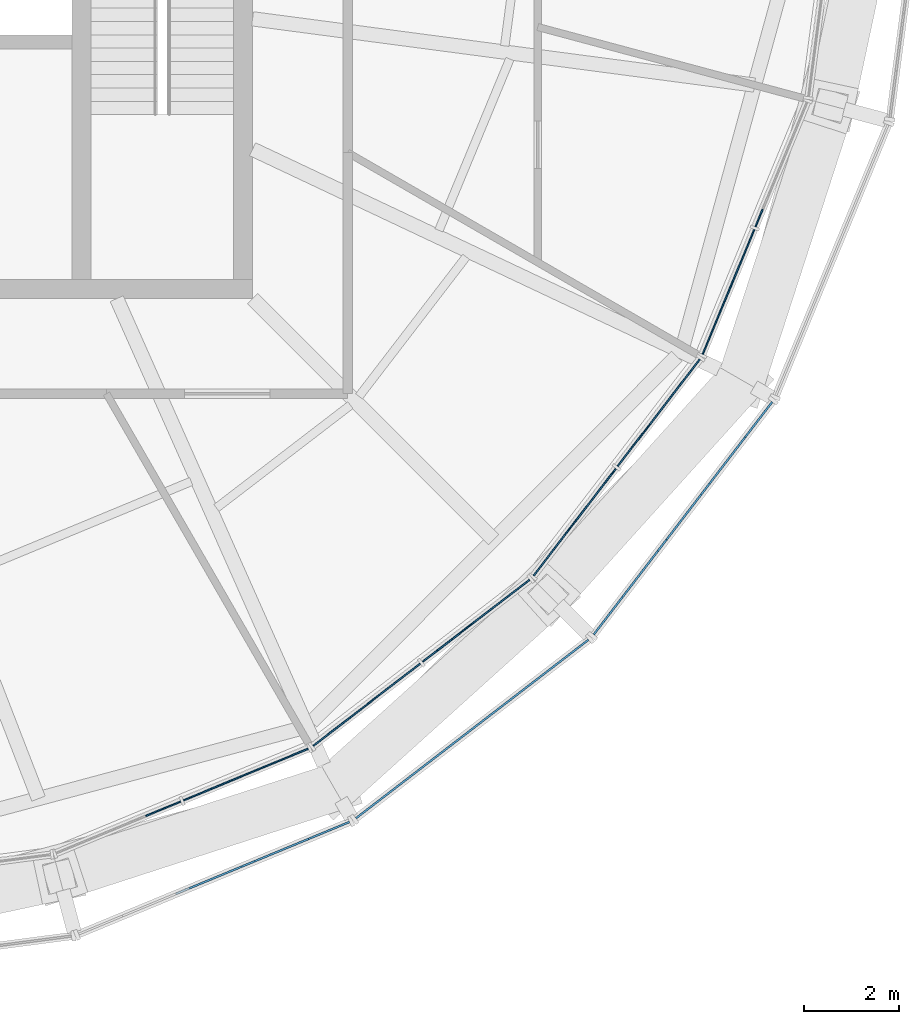
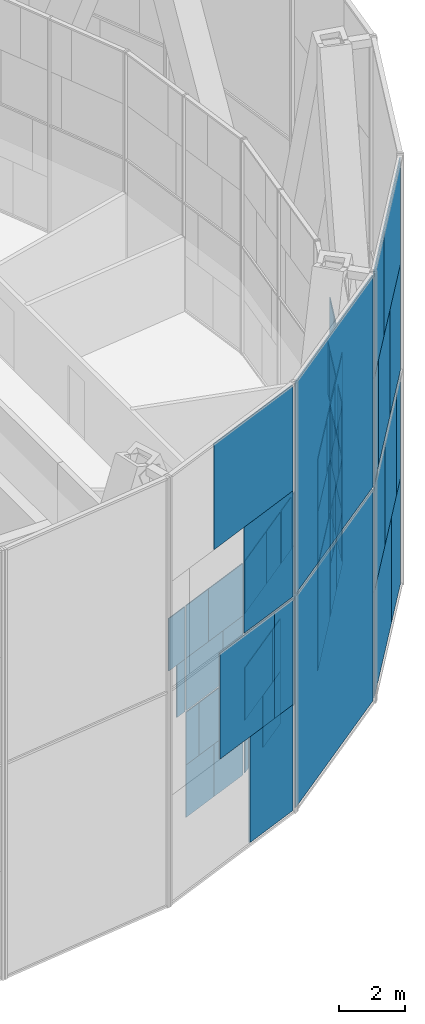
# One storey, part 13 of 22: 62 plates, 7 elements without a shape of their own.
"""IFC4 building model written with IfcOpenShell, lengths in metres."""

from ifc_helpers import new_model, si_unit, direction, frame, origin, origin_2d, place, context, subcontext, project, spatial, rectangle, extrude, material, layer, layer_set, type_object, element, aggregate, save


model = new_model("IFC4")

# Units and contexts
model_context = context("Model", 3, precision=1e-05, world=origin(), true_north=direction((0.0, 1.0)))
body_context = subcontext(model_context, "Body", "Model", "MODEL_VIEW")
ifc_project = project(units=[si_unit("LENGTHUNIT", "METRE"), si_unit("AREAUNIT", "SQUARE_METRE"), si_unit("VOLUMEUNIT", "CUBIC_METRE"), si_unit("PLANEANGLEUNIT", "RADIAN"), si_unit("MASSUNIT", "GRAM", prefix="KILO")], contexts=[model_context])

# Site, building, storey
site_placement = place(None, origin())
site = spatial("IfcSite", under=ifc_project, at=site_placement, CompositionType="ELEMENT")
building_placement = place(site_placement, origin())
building = spatial("IfcBuilding", under=site, at=building_placement, Name="Golbaran Civic Tower", CompositionType="ELEMENT")
storey_placement = place(building_placement, frame((0.0, 0.0, 248.0)))
storey = spatial("IfcBuildingStorey", under=building, at=storey_placement, Name="L60", CompositionType="ELEMENT", Elevation=248.0)

# Curtain wall, plates
ifc_material_1 = material(Name="Aluminium and glass", Category="aluminium")
curtain_wall_type_1 = type_object("IfcCurtainWallType", Name="INNER SKIN CURTAIN WALL EXECUTIVE", PredefinedType="NOTDEFINED", material=ifc_material_1)
curtain_wall_1_placement = place(storey_placement, origin())
curtain_wall_1 = element("IfcCurtainWall", 1, at=curtain_wall_1_placement, inside=storey, type_object=curtain_wall_type_1, Name="Inner skin L60 facet 20 CW2", ObjectType="INNER SKIN", PredefinedType="USERDEFINED")
ifc_material_2 = material(Name="Clear insulating glass", Category="glass")
ifc_layer_1 = layer(ifc_material_2, 0.031982421875, Name="Clear insulating glass")
ifc_layer_set_1 = layer_set([ifc_layer_1], Name="Clear insulating glass")
plate_type_1 = type_object("IfcPlateType", Name="INNER SKIN CURTAIN WALL EXECUTIVE GLAZED PANEL", PredefinedType="CURTAIN_PANEL", material=ifc_layer_set_1)
plate_1_placement = place(storey_placement, frame((9.18505859375, -20.289306640625, 0.06005859375), z_axis=(0.0, 0.0, 1.0), x_axis=(0.923879532505, 0.382683432381, 0.0)))
plate_1 = element("IfcPlate", 2, at=plate_1_placement, type_object=plate_type_1, Name="CW2 panel 2.1 part 1", PredefinedType="CURTAIN_PANEL", context=body_context, shape_type="SweptSolid", body=[
    extrude(rectangle(XDim=1.383056640625, YDim=0.031982421875, at=origin_2d()), origin(), (0.0, 0.0, 1.0), 1.955078125),
])
plate_2_placement = place(storey_placement, frame((8.84375, -20.4306640625, 2.014892578125), z_axis=(0.0, 0.0, 1.0), x_axis=(0.923879532505, 0.382683432381, 0.0)))
plate_2 = element("IfcPlate", 3, at=plate_2_placement, type_object=plate_type_1, Name="CW2 panel 2.1 part 3", PredefinedType="CURTAIN_PANEL", context=body_context, shape_type="SweptSolid", body=[
    extrude(rectangle(XDim=0.64404296875, YDim=0.031982421875, at=origin_2d()), origin(), (0.0, 0.0, 1.0), 1.955078125),
])
plate_3_placement = place(storey_placement, frame((10.712158203125, -19.656982421875, 4.030029296875), z_axis=(0.0, 0.0, 1.0), x_axis=(0.923879532505, 0.382683432381, 0.0)))
plate_3 = element("IfcPlate", 4, at=plate_3_placement, type_object=plate_type_1, Name="CW2 panel 2.2 part 2", PredefinedType="CURTAIN_PANEL", context=body_context, shape_type="SweptSolid", body=[
    extrude(rectangle(XDim=0.99267578125, YDim=0.031982421875, at=origin_2d()), origin(), (0.0, 0.0, 1.0), 1.955078125),
])
plate_4_placement = place(storey_placement, frame((10.3701171875, -19.798583984375, 5.98486328125), z_axis=(0.0, 0.0, 1.0), x_axis=(0.923879532505, 0.382683432381, 0.0)))
plate_4 = element("IfcPlate", 5, at=plate_4_placement, type_object=plate_type_1, Name="CW2 panel 2.2 part 4", PredefinedType="CURTAIN_PANEL", context=body_context, shape_type="SweptSolid", body=[
    extrude(rectangle(XDim=1.732666015625, YDim=0.031982421875, at=origin_2d()), origin(), (0.0, 0.0, 1.0), 1.955078125),
])

curtain_wall_2_placement = place(storey_placement, origin())
curtain_wall_2 = element("IfcCurtainWall", 6, at=curtain_wall_2_placement, inside=storey, type_object=curtain_wall_type_1, Name="Inner skin L60 facet 21 CW2", ObjectType="INNER SKIN", PredefinedType="USERDEFINED")
plate_5_placement = place(storey_placement, frame((12.978271484375, -18.099365234375, 0.06005859375), z_axis=(0.0, 0.0, 1.0), x_axis=(0.793353340238, 0.608761429078, 0.0)))
plate_5 = element("IfcPlate", 7, at=plate_5_placement, type_object=plate_type_1, Name="CW2 panel 1.1 part 2", PredefinedType="CURTAIN_PANEL", context=body_context, shape_type="SweptSolid", body=[
    extrude(rectangle(XDim=1.383544921875, YDim=0.031982421875, at=origin_2d()), origin(), (0.0, 0.0, 1.0), 1.955078125),
])
plate_6_placement = place(storey_placement, frame((13.271484375, -17.87451171875, 2.014892578125), z_axis=(0.0, 0.0, 1.0), x_axis=(0.793353340238, 0.608761429078, 0.0)))
plate_6 = element("IfcPlate", 8, at=plate_6_placement, type_object=plate_type_1, Name="CW2 panel 1.1 part 4", PredefinedType="CURTAIN_PANEL", context=body_context, shape_type="SweptSolid", body=[
    extrude(rectangle(XDim=0.64453125, YDim=0.031982421875, at=origin_2d()), origin(), (0.0, 0.0, 1.0), 1.955078125),
])
plate_7_placement = place(storey_placement, frame((11.66748046875, -19.105224609375, 4.030029296875), z_axis=(0.0, 0.0, 1.0), x_axis=(0.793353340238, 0.608761429078, 0.0)))
plate_7 = element("IfcPlate", 9, at=plate_7_placement, type_object=plate_type_1, Name="CW2 panel 1.2 part 1", PredefinedType="CURTAIN_PANEL", context=body_context, shape_type="SweptSolid", body=[
    extrude(rectangle(XDim=0.992919921875, YDim=0.031982421875, at=origin_2d()), origin(), (0.0, 0.0, 1.0), 1.955078125),
])
plate_8_placement = place(storey_placement, frame((11.960693359375, -18.88037109375, 5.98486328125), z_axis=(0.0, 0.0, 1.0), x_axis=(0.793353340238, 0.608761429078, 0.0)))
plate_8 = element("IfcPlate", 10, at=plate_8_placement, type_object=plate_type_1, Name="CW2 panel 1.2 part 3", PredefinedType="CURTAIN_PANEL", context=body_context, shape_type="SweptSolid", body=[
    extrude(rectangle(XDim=1.73193359375, YDim=0.031982421875, at=origin_2d()), origin(), (0.0, 0.0, 1.0), 1.955078125),
])
plate_9_placement = place(storey_placement, frame((14.70166015625, -16.777099609375, 0.06005859375), z_axis=(0.0, 0.0, 1.0), x_axis=(0.793353340238, 0.608761429078, 0.0)))
plate_9 = element("IfcPlate", 11, at=plate_9_placement, type_object=plate_type_1, Name="CW2 panel 2.1", PredefinedType="CURTAIN_PANEL", context=body_context, shape_type="SweptSolid", body=[
    extrude(rectangle(XDim=2.840576171875, YDim=0.031982421875, at=origin_2d()), origin(), (0.0, 0.0, 1.0), 3.909912109375),
])
plate_10_placement = place(storey_placement, frame((14.8603515625, -16.6552734375, 4.030029296875), z_axis=(0.0, 0.0, 1.0), x_axis=(0.793353340238, 0.608761429078, 0.0)))
plate_10 = element("IfcPlate", 12, at=plate_10_placement, type_object=plate_type_1, Name="CW2 panel 2.2 part 2", PredefinedType="CURTAIN_PANEL", context=body_context, shape_type="SweptSolid", body=[
    extrude(rectangle(XDim=2.440673828125, YDim=0.031982421875, at=origin_2d()), origin(), (0.0, 0.0, 1.0), 1.955078125),
])
plate_11_placement = place(storey_placement, frame((15.017822265625, -16.534423828125, 5.98486328125), z_axis=(0.0, 0.0, 1.0), x_axis=(0.793353340238, 0.608761429078, 0.0)))
plate_11 = element("IfcPlate", 13, at=plate_11_placement, type_object=plate_type_1, Name="CW2 panel 2.2 part 4", PredefinedType="CURTAIN_PANEL", context=body_context, shape_type="SweptSolid", body=[
    extrude(rectangle(XDim=2.04345703125, YDim=0.031982421875, at=origin_2d()), origin(), (0.0, 0.0, 1.0), 1.955078125),
])

curtain_wall_3_placement = place(storey_placement, origin())
curtain_wall_3 = element("IfcCurtainWall", 14, at=curtain_wall_3_placement, inside=storey, type_object=curtain_wall_type_1, Name="Inner skin L60 facet 22 CW2", ObjectType="INNER SKIN", PredefinedType="USERDEFINED")
plate_12_placement = place(storey_placement, frame((16.777099609375, -14.70166015625, 0.06005859375), z_axis=(0.0, 0.0, 1.0), x_axis=(0.608761429078, 0.793353340238, 0.0)))
plate_12 = element("IfcPlate", 15, at=plate_12_placement, type_object=plate_type_1, Name="CW2 panel 1.1", PredefinedType="CURTAIN_PANEL", context=body_context, shape_type="SweptSolid", body=[
    extrude(rectangle(XDim=2.840576171875, YDim=0.031982421875, at=origin_2d()), origin(), (0.0, 0.0, 1.0), 3.909912109375),
])
plate_13_placement = place(storey_placement, frame((16.65478515625, -14.86083984375, 4.030029296875), z_axis=(0.0, 0.0, 1.0), x_axis=(0.608761429078, 0.793353340238, 0.0)))
plate_13 = element("IfcPlate", 16, at=plate_13_placement, type_object=plate_type_1, Name="CW2 panel 1.2 part 1", PredefinedType="CURTAIN_PANEL", context=body_context, shape_type="SweptSolid", body=[
    extrude(rectangle(XDim=2.43896484375, YDim=0.031982421875, at=origin_2d()), origin(), (0.0, 0.0, 1.0), 1.955078125),
])
plate_14_placement = place(storey_placement, frame((16.534423828125, -15.01806640625, 5.98486328125), z_axis=(0.0, 0.0, 1.0), x_axis=(0.608761429078, 0.793353340238, 0.0)))
plate_14 = element("IfcPlate", 17, at=plate_14_placement, type_object=plate_type_1, Name="CW2 panel 1.2 part 3", PredefinedType="CURTAIN_PANEL", context=body_context, shape_type="SweptSolid", body=[
    extrude(rectangle(XDim=2.04296875, YDim=0.031982421875, at=origin_2d()), origin(), (0.0, 0.0, 1.0), 1.955078125),
])
plate_15_placement = place(storey_placement, frame((18.09912109375, -12.978515625, 0.06005859375), z_axis=(0.0, 0.0, 1.0), x_axis=(0.608761429078, 0.793353340238, 0.0)))
plate_15 = element("IfcPlate", 18, at=plate_15_placement, type_object=plate_type_1, Name="CW2 panel 2.1 part 1", PredefinedType="CURTAIN_PANEL", context=body_context, shape_type="SweptSolid", body=[
    extrude(rectangle(XDim=1.383056640625, YDim=0.031982421875, at=origin_2d()), origin(), (0.0, 0.0, 1.0), 1.955078125),
])
plate_16_placement = place(storey_placement, frame((17.874267578125, -13.271728515625, 2.014892578125), z_axis=(0.0, 0.0, 1.0), x_axis=(0.608761429078, 0.793353340238, 0.0)))
plate_16 = element("IfcPlate", 19, at=plate_16_placement, type_object=plate_type_1, Name="CW2 panel 2.1 part 3", PredefinedType="CURTAIN_PANEL", context=body_context, shape_type="SweptSolid", body=[
    extrude(rectangle(XDim=0.64404296875, YDim=0.031982421875, at=origin_2d()), origin(), (0.0, 0.0, 1.0), 1.955078125),
])
plate_17_placement = place(storey_placement, frame((19.10546875, -11.667236328125, 4.030029296875), z_axis=(0.0, 0.0, 1.0), x_axis=(0.608761429078, 0.793353340238, 0.0)))
plate_17 = element("IfcPlate", 20, at=plate_17_placement, type_object=plate_type_1, Name="CW2 panel 2.2 part 2", PredefinedType="CURTAIN_PANEL", context=body_context, shape_type="SweptSolid", body=[
    extrude(rectangle(XDim=0.99267578125, YDim=0.031982421875, at=origin_2d()), origin(), (0.0, 0.0, 1.0), 1.955078125),
])
plate_18_placement = place(storey_placement, frame((18.880126953125, -11.9609375, 5.98486328125), z_axis=(0.0, 0.0, 1.0), x_axis=(0.608761429078, 0.793353340238, 0.0)))
plate_18 = element("IfcPlate", 21, at=plate_18_placement, type_object=plate_type_1, Name="CW2 panel 2.2 part 4", PredefinedType="CURTAIN_PANEL", context=body_context, shape_type="SweptSolid", body=[
    extrude(rectangle(XDim=1.732666015625, YDim=0.031982421875, at=origin_2d()), origin(), (0.0, 0.0, 1.0), 1.955078125),
])

curtain_wall_4_placement = place(storey_placement, origin())
curtain_wall_4 = element("IfcCurtainWall", 22, at=curtain_wall_4_placement, inside=storey, type_object=curtain_wall_type_1, Name="Inner skin L60 facet 23 CW2", ObjectType="INNER SKIN", PredefinedType="USERDEFINED")
plate_19_placement = place(storey_placement, frame((20.289306640625, -9.185302734375, 0.06005859375), z_axis=(0.0, 0.0, 1.0), x_axis=(0.382683432381, 0.923879532505, 0.0)))
plate_19 = element("IfcPlate", 23, at=plate_19_placement, type_object=plate_type_1, Name="CW2 panel 1.1 part 2", PredefinedType="CURTAIN_PANEL", context=body_context, shape_type="SweptSolid", body=[
    extrude(rectangle(XDim=1.383544921875, YDim=0.031982421875, at=origin_2d()), origin(), (0.0, 0.0, 1.0), 1.955078125),
])
plate_20_placement = place(storey_placement, frame((20.4306640625, -8.843994140625, 2.014892578125), z_axis=(0.0, 0.0, 1.0), x_axis=(0.382683432381, 0.923879532505, 0.0)))
plate_20 = element("IfcPlate", 24, at=plate_20_placement, type_object=plate_type_1, Name="CW2 panel 1.1 part 4", PredefinedType="CURTAIN_PANEL", context=body_context, shape_type="SweptSolid", body=[
    extrude(rectangle(XDim=0.64453125, YDim=0.031982421875, at=origin_2d()), origin(), (0.0, 0.0, 1.0), 1.955078125),
])
plate_21_placement = place(storey_placement, frame((19.656982421875, -10.7119140625, 4.030029296875), z_axis=(0.0, 0.0, 1.0), x_axis=(0.382683432381, 0.923879532505, 0.0)))
plate_21 = element("IfcPlate", 25, at=plate_21_placement, type_object=plate_type_1, Name="CW2 panel 1.2 part 1", PredefinedType="CURTAIN_PANEL", context=body_context, shape_type="SweptSolid", body=[
    extrude(rectangle(XDim=0.992919921875, YDim=0.031982421875, at=origin_2d()), origin(), (0.0, 0.0, 1.0), 1.955078125),
])
plate_22_placement = place(storey_placement, frame((19.79833984375, -10.37060546875, 5.98486328125), z_axis=(0.0, 0.0, 1.0), x_axis=(0.382683432381, 0.923879532505, 0.0)))
plate_22 = element("IfcPlate", 26, at=plate_22_placement, type_object=plate_type_1, Name="CW2 panel 1.2 part 3", PredefinedType="CURTAIN_PANEL", context=body_context, shape_type="SweptSolid", body=[
    extrude(rectangle(XDim=1.73193359375, YDim=0.031982421875, at=origin_2d()), origin(), (0.0, 0.0, 1.0), 1.955078125),
])

# Plate
ifc_material_3 = material(Name="Aluminium faced opaque infill panel", Category="aluminium")
ifc_layer_2 = layer(ifc_material_3, 0.031982421875, Name="Aluminium faced opaque infill panel")
ifc_layer_set_2 = layer_set([ifc_layer_2], Name="Aluminium faced opaque infill panel")
plate_type_2 = type_object("IfcPlateType", Name="INNER SKIN CURTAIN WALL EXECUTIVE OPAQUE INFILL PANEL", PredefinedType="CURTAIN_PANEL", material=ifc_layer_set_2)
plate_23_placement = place(storey_placement, frame((8.30517578125, -20.65380859375, 4.030029296875), z_axis=(0.0, 0.0, 1.0), x_axis=(0.923879532505, 0.382683432381, 0.0)))
plate_23 = element("IfcPlate", 27, at=plate_23_placement, type_object=plate_type_2, Name="CW2 infill panel 1.2 part 2", PredefinedType="CURTAIN_PANEL", context=body_context, shape_type="SweptSolid", body=[
    extrude(rectangle(XDim=0.401611328125, YDim=0.031982421875, at=origin_2d()), origin(), (0.0, 0.0, 1.0), 1.955078125),
])

plate_24_placement = place(storey_placement, frame((8.122314453125, -20.7294921875, 5.98486328125), z_axis=(0.0, 0.0, 1.0), x_axis=(0.923879532505, 0.382683432381, 0.0)))
plate_24 = element("IfcPlate", 28, at=plate_24_placement, type_object=plate_type_2, Name="CW2 infill panel 1.2 part 4", PredefinedType="CURTAIN_PANEL", context=body_context, shape_type="SweptSolid", body=[
    extrude(rectangle(XDim=0.797607421875, YDim=0.031982421875, at=origin_2d()), origin(), (0.0, 0.0, 1.0), 1.955078125),
])

plate_25_placement = place(storey_placement, frame((10.497314453125, -19.745849609375, 0.06005859375), z_axis=(0.0, 0.0, 1.0), x_axis=(0.923879532505, 0.382683432381, 0.0)))
plate_25 = element("IfcPlate", 29, at=plate_25_placement, type_object=plate_type_2, Name="CW2 infill panel 2.1 part 2", PredefinedType="CURTAIN_PANEL", context=body_context, shape_type="SweptSolid", body=[
    extrude(rectangle(XDim=1.45751953125, YDim=0.031982421875, at=origin_2d()), origin(), (0.0, 0.0, 1.0), 1.955078125),
])

plate_26_placement = place(storey_placement, frame((10.15576171875, -19.88720703125, 2.014892578125), z_axis=(0.0, 0.0, 1.0), x_axis=(0.923879532505, 0.382683432381, 0.0)))
plate_26 = element("IfcPlate", 30, at=plate_26_placement, type_object=plate_type_2, Name="CW2 infill panel 2.1 part 4", PredefinedType="CURTAIN_PANEL", context=body_context, shape_type="SweptSolid", body=[
    extrude(rectangle(XDim=2.196533203125, YDim=0.031982421875, at=origin_2d()), origin(), (0.0, 0.0, 1.0), 1.955078125),
])

plate_27_placement = place(storey_placement, frame((9.39990234375, -20.200439453125, 4.030029296875), z_axis=(0.0, 0.0, 1.0), x_axis=(0.923879532505, 0.382683432381, 0.0)))
plate_27 = element("IfcPlate", 31, at=plate_27_placement, type_object=plate_type_2, Name="CW2 infill panel 2.2 part 1", PredefinedType="CURTAIN_PANEL", context=body_context, shape_type="SweptSolid", body=[
    extrude(rectangle(XDim=1.847900390625, YDim=0.031982421875, at=origin_2d()), origin(), (0.0, 0.0, 1.0), 1.955078125),
])

plate_28_placement = place(storey_placement, frame((9.05810546875, -20.342041015625, 5.98486328125), z_axis=(0.0, 0.0, 1.0), x_axis=(0.923879532505, 0.382683432381, 0.0)))
plate_28 = element("IfcPlate", 32, at=plate_28_placement, type_object=plate_type_2, Name="CW2 infill panel 2.2 part 3", PredefinedType="CURTAIN_PANEL", context=body_context, shape_type="SweptSolid", body=[
    extrude(rectangle(XDim=1.10791015625, YDim=0.031982421875, at=origin_2d()), origin(), (0.0, 0.0, 1.0), 1.955078125),
])

aggregate(curtain_wall_1, [plate_23, plate_24, plate_1, plate_25, plate_2, plate_26, plate_27, plate_3, plate_28, plate_4])

plate_29_placement = place(storey_placement, frame((11.8515625, -18.964111328125, 0.06005859375), z_axis=(0.0, 0.0, 1.0), x_axis=(0.793353340238, 0.608761429078, 0.0)))
plate_29 = element("IfcPlate", 33, at=plate_29_placement, type_object=plate_type_2, Name="CW2 infill panel 1.1 part 1", PredefinedType="CURTAIN_PANEL", context=body_context, shape_type="SweptSolid", body=[
    extrude(rectangle(XDim=1.45703125, YDim=0.031982421875, at=origin_2d()), origin(), (0.0, 0.0, 1.0), 1.955078125),
])

plate_30_placement = place(storey_placement, frame((12.144775390625, -18.739013671875, 2.014892578125), z_axis=(0.0, 0.0, 1.0), x_axis=(0.793353340238, 0.608761429078, 0.0)))
plate_30 = element("IfcPlate", 34, at=plate_30_placement, type_object=plate_type_2, Name="CW2 infill panel 1.1 part 3", PredefinedType="CURTAIN_PANEL", context=body_context, shape_type="SweptSolid", body=[
    extrude(rectangle(XDim=2.196044921875, YDim=0.031982421875, at=origin_2d()), origin(), (0.0, 0.0, 1.0), 1.955078125),
])

plate_31_placement = place(storey_placement, frame((12.794189453125, -18.24072265625, 4.030029296875), z_axis=(0.0, 0.0, 1.0), x_axis=(0.793353340238, 0.608761429078, 0.0)))
plate_31 = element("IfcPlate", 35, at=plate_31_placement, type_object=plate_type_2, Name="CW2 infill panel 1.2 part 2", PredefinedType="CURTAIN_PANEL", context=body_context, shape_type="SweptSolid", body=[
    extrude(rectangle(XDim=1.84765625, YDim=0.031982421875, at=origin_2d()), origin(), (0.0, 0.0, 1.0), 1.955078125),
])

plate_32_placement = place(storey_placement, frame((13.08740234375, -18.015625, 5.98486328125), z_axis=(0.0, 0.0, 1.0), x_axis=(0.793353340238, 0.608761429078, 0.0)))
plate_32 = element("IfcPlate", 36, at=plate_32_placement, type_object=plate_type_2, Name="CW2 infill panel 1.2 part 4", PredefinedType="CURTAIN_PANEL", context=body_context, shape_type="SweptSolid", body=[
    extrude(rectangle(XDim=1.108642578125, YDim=0.031982421875, at=origin_2d()), origin(), (0.0, 0.0, 1.0), 1.955078125),
])

plate_33_placement = place(storey_placement, frame((13.7333984375, -17.52001953125, 4.030029296875), z_axis=(0.0, 0.0, 1.0), x_axis=(0.793353340238, 0.608761429078, 0.0)))
plate_33 = element("IfcPlate", 37, at=plate_33_placement, type_object=plate_type_2, Name="CW2 infill panel 2.2 part 1", PredefinedType="CURTAIN_PANEL", context=body_context, shape_type="SweptSolid", body=[
    extrude(rectangle(XDim=0.39990234375, YDim=0.031982421875, at=origin_2d()), origin(), (0.0, 0.0, 1.0), 1.955078125),
])

plate_34_placement = place(storey_placement, frame((13.890869140625, -17.399169921875, 5.98486328125), z_axis=(0.0, 0.0, 1.0), x_axis=(0.793353340238, 0.608761429078, 0.0)))
plate_34 = element("IfcPlate", 38, at=plate_34_placement, type_object=plate_type_2, Name="CW2 infill panel 2.2 part 3", PredefinedType="CURTAIN_PANEL", context=body_context, shape_type="SweptSolid", body=[
    extrude(rectangle(XDim=0.797119140625, YDim=0.031982421875, at=origin_2d()), origin(), (0.0, 0.0, 1.0), 1.955078125),
])

aggregate(curtain_wall_2, [plate_29, plate_5, plate_30, plate_6, plate_7, plate_31, plate_8, plate_32, plate_9, plate_33, plate_10, plate_34, plate_11])

plate_35_placement = place(storey_placement, frame((17.51953125, -13.734130859375, 4.030029296875), z_axis=(0.0, 0.0, 1.0), x_axis=(0.608761429078, 0.793353340238, 0.0)))
plate_35 = element("IfcPlate", 39, at=plate_35_placement, type_object=plate_type_2, Name="CW2 infill panel 1.2 part 2", PredefinedType="CURTAIN_PANEL", context=body_context, shape_type="SweptSolid", body=[
    extrude(rectangle(XDim=0.401611328125, YDim=0.031982421875, at=origin_2d()), origin(), (0.0, 0.0, 1.0), 1.955078125),
])

plate_36_placement = place(storey_placement, frame((17.39892578125, -13.89111328125, 5.98486328125), z_axis=(0.0, 0.0, 1.0), x_axis=(0.608761429078, 0.793353340238, 0.0)))
plate_36 = element("IfcPlate", 40, at=plate_36_placement, type_object=plate_type_2, Name="CW2 infill panel 1.2 part 4", PredefinedType="CURTAIN_PANEL", context=body_context, shape_type="SweptSolid", body=[
    extrude(rectangle(XDim=0.797607421875, YDim=0.031982421875, at=origin_2d()), origin(), (0.0, 0.0, 1.0), 1.955078125),
])

plate_37_placement = place(storey_placement, frame((18.9638671875, -11.851806640625, 0.06005859375), z_axis=(0.0, 0.0, 1.0), x_axis=(0.608761429078, 0.793353340238, 0.0)))
plate_37 = element("IfcPlate", 41, at=plate_37_placement, type_object=plate_type_2, Name="CW2 infill panel 2.1 part 2", PredefinedType="CURTAIN_PANEL", context=body_context, shape_type="SweptSolid", body=[
    extrude(rectangle(XDim=1.45751953125, YDim=0.031982421875, at=origin_2d()), origin(), (0.0, 0.0, 1.0), 1.955078125),
])

plate_38_placement = place(storey_placement, frame((18.73876953125, -12.14501953125, 2.014892578125), z_axis=(0.0, 0.0, 1.0), x_axis=(0.608761429078, 0.793353340238, 0.0)))
plate_38 = element("IfcPlate", 42, at=plate_38_placement, type_object=plate_type_2, Name="CW2 infill panel 2.1 part 4", PredefinedType="CURTAIN_PANEL", context=body_context, shape_type="SweptSolid", body=[
    extrude(rectangle(XDim=2.196533203125, YDim=0.031982421875, at=origin_2d()), origin(), (0.0, 0.0, 1.0), 1.955078125),
])

plate_39_placement = place(storey_placement, frame((18.24072265625, -12.794189453125, 4.030029296875), z_axis=(0.0, 0.0, 1.0), x_axis=(0.608761429078, 0.793353340238, 0.0)))
plate_39 = element("IfcPlate", 43, at=plate_39_placement, type_object=plate_type_2, Name="CW2 infill panel 2.2 part 1", PredefinedType="CURTAIN_PANEL", context=body_context, shape_type="SweptSolid", body=[
    extrude(rectangle(XDim=1.847900390625, YDim=0.031982421875, at=origin_2d()), origin(), (0.0, 0.0, 1.0), 1.955078125),
])

plate_40_placement = place(storey_placement, frame((18.015380859375, -13.087646484375, 5.98486328125), z_axis=(0.0, 0.0, 1.0), x_axis=(0.608761429078, 0.793353340238, 0.0)))
plate_40 = element("IfcPlate", 44, at=plate_40_placement, type_object=plate_type_2, Name="CW2 infill panel 2.2 part 3", PredefinedType="CURTAIN_PANEL", context=body_context, shape_type="SweptSolid", body=[
    extrude(rectangle(XDim=1.10791015625, YDim=0.031982421875, at=origin_2d()), origin(), (0.0, 0.0, 1.0), 1.955078125),
])

aggregate(curtain_wall_3, [plate_12, plate_13, plate_35, plate_14, plate_36, plate_15, plate_37, plate_16, plate_38, plate_39, plate_17, plate_40, plate_18])

plate_41_placement = place(storey_placement, frame((19.745849609375, -10.49755859375, 0.06005859375), z_axis=(0.0, 0.0, 1.0), x_axis=(0.382683432381, 0.923879532505, 0.0)))
plate_41 = element("IfcPlate", 45, at=plate_41_placement, type_object=plate_type_2, Name="CW2 infill panel 1.1 part 1", PredefinedType="CURTAIN_PANEL", context=body_context, shape_type="SweptSolid", body=[
    extrude(rectangle(XDim=1.45703125, YDim=0.031982421875, at=origin_2d()), origin(), (0.0, 0.0, 1.0), 1.955078125),
])

plate_42_placement = place(storey_placement, frame((19.88720703125, -10.15625, 2.014892578125), z_axis=(0.0, 0.0, 1.0), x_axis=(0.382683432381, 0.923879532505, 0.0)))
plate_42 = element("IfcPlate", 46, at=plate_42_placement, type_object=plate_type_2, Name="CW2 infill panel 1.1 part 3", PredefinedType="CURTAIN_PANEL", context=body_context, shape_type="SweptSolid", body=[
    extrude(rectangle(XDim=2.196044921875, YDim=0.031982421875, at=origin_2d()), origin(), (0.0, 0.0, 1.0), 1.955078125),
])

plate_43_placement = place(storey_placement, frame((20.200439453125, -9.399658203125, 4.030029296875), z_axis=(0.0, 0.0, 1.0), x_axis=(0.382683432381, 0.923879532505, 0.0)))
plate_43 = element("IfcPlate", 47, at=plate_43_placement, type_object=plate_type_2, Name="CW2 infill panel 1.2 part 2", PredefinedType="CURTAIN_PANEL", context=body_context, shape_type="SweptSolid", body=[
    extrude(rectangle(XDim=1.84765625, YDim=0.031982421875, at=origin_2d()), origin(), (0.0, 0.0, 1.0), 1.955078125),
])

plate_44_placement = place(storey_placement, frame((20.341796875, -9.058349609375, 5.98486328125), z_axis=(0.0, 0.0, 1.0), x_axis=(0.382683432381, 0.923879532505, 0.0)))
plate_44 = element("IfcPlate", 48, at=plate_44_placement, type_object=plate_type_2, Name="CW2 infill panel 1.2 part 4", PredefinedType="CURTAIN_PANEL", context=body_context, shape_type="SweptSolid", body=[
    extrude(rectangle(XDim=1.108642578125, YDim=0.031982421875, at=origin_2d()), origin(), (0.0, 0.0, 1.0), 1.955078125),
])

plate_45_placement = place(storey_placement, frame((20.653564453125, -8.305908203125, 4.030029296875), z_axis=(0.0, 0.0, 1.0), x_axis=(0.382683432381, 0.923879532505, 0.0)))
plate_45 = element("IfcPlate", 49, at=plate_45_placement, type_object=plate_type_2, Name="CW2 infill panel 2.2 part 1", PredefinedType="CURTAIN_PANEL", context=body_context, shape_type="SweptSolid", body=[
    extrude(rectangle(XDim=0.39990234375, YDim=0.031982421875, at=origin_2d()), origin(), (0.0, 0.0, 1.0), 1.955078125),
])

aggregate(curtain_wall_4, [plate_41, plate_19, plate_42, plate_20, plate_21, plate_43, plate_22, plate_44, plate_45])

# Curtain wall, plates
curtain_wall_type_2 = type_object("IfcCurtainWallType", Name="OUTER SKIN TERRACOTTA SCREEN", PredefinedType="NOTDEFINED", material=ifc_material_1)
curtain_wall_5_placement = place(storey_placement, origin())
curtain_wall_5 = element("IfcCurtainWall", 50, at=curtain_wall_5_placement, inside=storey, type_object=curtain_wall_type_2, Name="Outer skin L60 facet 20 CW3", ObjectType="OUTER SKIN", PredefinedType="USERDEFINED")
ifc_material_4 = material(Name="Clear laminated glass", Category="glass")
ifc_layer_3 = layer(ifc_material_4, 0.0400390625, Name="Clear laminated glass")
ifc_layer_set_3 = layer_set([ifc_layer_3], Name="Clear laminated glass")
plate_type_3 = type_object("IfcPlateType", Name="OUTER SKIN CLEAR GLASS PANEL", PredefinedType="CURTAIN_PANEL", material=ifc_layer_set_3)
plate_46_placement = place(storey_placement, frame((11.607421875, -21.1865234375, 3.31005859375), z_axis=(0.0, 0.0, 1.0), x_axis=(0.923879532518, 0.382683432349, 0.0)))
plate_46 = element("IfcPlate", 51, at=plate_46_placement, type_object=plate_type_3, Name="CW3 panel 1.1 part 5", PredefinedType="CURTAIN_PANEL", context=body_context, shape_type="SweptSolid", body=[
    extrude(rectangle(XDim=0.931396484375, YDim=0.0400390625, at=origin_2d()), origin(), (0.0, 0.0, 1.0), 3.93994140625),
])
plate_47_placement = place(storey_placement, frame((10.90478515625, -21.4775390625, 7.330078125), z_axis=(0.0, 0.0, 1.0), x_axis=(0.923879532518, 0.382683432349, 0.0)))
plate_47 = element("IfcPlate", 52, at=plate_47_placement, type_object=plate_type_3, Name="CW3 panel 1.2 part 3", PredefinedType="CURTAIN_PANEL", context=body_context, shape_type="SweptSolid", body=[
    extrude(rectangle(XDim=2.452392578125, YDim=0.0400390625, at=origin_2d()), origin(), (0.0, 0.0, 1.0), 3.93994140625),
])
plate_48_placement = place(storey_placement, frame((10.212646484375, -21.76416015625, 11.27001953125), z_axis=(0.0, 0.0, 1.0), x_axis=(0.923879532518, 0.382683432349, 0.0)))
plate_48 = element("IfcPlate", 53, at=plate_48_placement, type_object=plate_type_3, Name="CW3 panel 1.2 part 5", PredefinedType="CURTAIN_PANEL", context=body_context, shape_type="SweptSolid", body=[
    extrude(rectangle(XDim=3.950439453125, YDim=0.0400390625, at=origin_2d()), origin(), (0.0, 0.0, 1.0), 3.93994140625),
])

curtain_wall_6_placement = place(storey_placement, origin())
curtain_wall_6 = element("IfcCurtainWall", 54, at=curtain_wall_6_placement, inside=storey, type_object=curtain_wall_type_2, Name="Outer skin L60 facet 22 CW3", ObjectType="OUTER SKIN", PredefinedType="USERDEFINED")
plate_49_placement = place(storey_placement, frame((18.39599609375, -15.47607421875, -0.6298828125), z_axis=(0.0, 0.0, 1.0), x_axis=(0.608761428967, 0.793353340323, 0.0)))
plate_49 = element("IfcPlate", 55, at=plate_49_placement, type_object=plate_type_3, Name="CW3 panel 1.1 part 1", PredefinedType="CURTAIN_PANEL", context=body_context, shape_type="SweptSolid", body=[
    extrude(rectangle(XDim=4.0048828125, YDim=0.0400390625, at=origin_2d()), origin(), (0.0, 0.0, 1.0), 3.93994140625),
])
plate_50_placement = place(storey_placement, frame((17.9423828125, -16.067138671875, 3.31005859375), z_axis=(0.0, 0.0, 1.0), x_axis=(0.608761428967, 0.793353340323, 0.0)))
plate_50 = element("IfcPlate", 56, at=plate_50_placement, type_object=plate_type_3, Name="CW3 panel 1.1 part 3", PredefinedType="CURTAIN_PANEL", context=body_context, shape_type="SweptSolid", body=[
    extrude(rectangle(XDim=2.514892578125, YDim=0.0400390625, at=origin_2d()), origin(), (0.0, 0.0, 1.0), 3.93994140625),
])
plate_51_placement = place(storey_placement, frame((20.6455078125, -12.54443359375, 3.31005859375), z_axis=(0.0, 0.0, 1.0), x_axis=(0.608761428967, 0.793353340323, 0.0)))
plate_51 = element("IfcPlate", 57, at=plate_51_placement, type_object=plate_type_3, Name="CW3 panel 1.1 part 5", PredefinedType="CURTAIN_PANEL", context=body_context, shape_type="SweptSolid", body=[
    extrude(rectangle(XDim=0.931396484375, YDim=0.0400390625, at=origin_2d()), origin(), (0.0, 0.0, 1.0), 3.93994140625),
])
plate_52_placement = place(storey_placement, frame((17.479736328125, -16.670166015625, 7.330078125), z_axis=(0.0, 0.0, 1.0), x_axis=(0.608761428967, 0.793353340323, 0.0)))
plate_52 = element("IfcPlate", 58, at=plate_52_placement, type_object=plate_type_3, Name="CW3 panel 1.2 part 1", PredefinedType="CURTAIN_PANEL", context=body_context, shape_type="SweptSolid", body=[
    extrude(rectangle(XDim=0.9951171875, YDim=0.0400390625, at=origin_2d()), origin(), (0.0, 0.0, 1.0), 3.93994140625),
])
plate_53_placement = place(storey_placement, frame((20.1826171875, -13.147705078125, 7.330078125), z_axis=(0.0, 0.0, 1.0), x_axis=(0.608761428967, 0.793353340323, 0.0)))
plate_53 = element("IfcPlate", 59, at=plate_53_placement, type_object=plate_type_3, Name="CW3 panel 1.2 part 3", PredefinedType="CURTAIN_PANEL", context=body_context, shape_type="SweptSolid", body=[
    extrude(rectangle(XDim=2.452392578125, YDim=0.0400390625, at=origin_2d()), origin(), (0.0, 0.0, 1.0), 3.93994140625),
])
plate_54_placement = place(storey_placement, frame((19.7265625, -13.741943359375, 11.27001953125), z_axis=(0.0, 0.0, 1.0), x_axis=(0.608761428967, 0.793353340323, 0.0)))
plate_54 = element("IfcPlate", 60, at=plate_54_placement, type_object=plate_type_3, Name="CW3 panel 1.2 part 5", PredefinedType="CURTAIN_PANEL", context=body_context, shape_type="SweptSolid", body=[
    extrude(rectangle(XDim=3.950439453125, YDim=0.0400390625, at=origin_2d()), origin(), (0.0, 0.0, 1.0), 3.93994140625),
])

# Plate
ifc_material_5 = material(Name="Terracotta baguette screen", Category="masonry")
ifc_layer_4 = layer(ifc_material_5, 0.0400390625, Name="Terracotta baguette screen")
ifc_layer_set_4 = layer_set([ifc_layer_4], Name="Terracotta baguette screen")
plate_type_4 = type_object("IfcPlateType", Name="OUTER SKIN TERRACOTTA INFILL PANEL", PredefinedType="CURTAIN_PANEL", material=ifc_layer_set_4)
plate_55_placement = place(storey_placement, frame((11.04052734375, -21.42138671875, -0.6298828125), z_axis=(0.0, 0.0, 1.0), x_axis=(0.923879532518, 0.382683432349, 0.0)))
plate_55 = element("IfcPlate", 61, at=plate_55_placement, type_object=plate_type_4, Name="CW3 infill panel 1.1 part 2", PredefinedType="CURTAIN_PANEL", context=body_context, shape_type="SweptSolid", body=[
    extrude(rectangle(XDim=2.158447265625, YDim=0.0400390625, at=origin_2d()), origin(), (0.0, 0.0, 1.0), 3.93994140625),
])

plate_56_placement = place(storey_placement, frame((9.921875, -21.884765625, 3.31005859375), z_axis=(0.0, 0.0, 1.0), x_axis=(0.923879532518, 0.382683432349, 0.0)))
plate_56 = element("IfcPlate", 62, at=plate_56_placement, type_object=plate_type_4, Name="CW3 infill panel 1.1 part 4", PredefinedType="CURTAIN_PANEL", context=body_context, shape_type="SweptSolid", body=[
    extrude(rectangle(XDim=2.717041015625, YDim=0.0400390625, at=origin_2d()), origin(), (0.0, 0.0, 1.0), 3.93994140625),
])

aggregate(curtain_wall_5, [plate_55, plate_56, plate_46, plate_47, plate_48])

plate_57_placement = place(storey_placement, frame((20.27197265625, -13.03125, -0.6298828125), z_axis=(0.0, 0.0, 1.0), x_axis=(0.608761428967, 0.793353340323, 0.0)))
plate_57 = element("IfcPlate", 63, at=plate_57_placement, type_object=plate_type_4, Name="CW3 infill panel 1.1 part 2", PredefinedType="CURTAIN_PANEL", context=body_context, shape_type="SweptSolid", body=[
    extrude(rectangle(XDim=2.158447265625, YDim=0.0400390625, at=origin_2d()), origin(), (0.0, 0.0, 1.0), 3.93994140625),
])

plate_58_placement = place(storey_placement, frame((19.534912109375, -13.99169921875, 3.31005859375), z_axis=(0.0, 0.0, 1.0), x_axis=(0.608761428967, 0.793353340323, 0.0)))
plate_58 = element("IfcPlate", 64, at=plate_58_placement, type_object=plate_type_4, Name="CW3 infill panel 1.1 part 4", PredefinedType="CURTAIN_PANEL", context=body_context, shape_type="SweptSolid", body=[
    extrude(rectangle(XDim=2.717041015625, YDim=0.0400390625, at=origin_2d()), origin(), (0.0, 0.0, 1.0), 3.93994140625),
])

plate_59_placement = place(storey_placement, frame((18.609375, -15.197998046875, 7.330078125), z_axis=(0.0, 0.0, 1.0), x_axis=(0.608761428967, 0.793353340323, 0.0)))
plate_59 = element("IfcPlate", 65, at=plate_59_placement, type_object=plate_type_4, Name="CW3 infill panel 1.2 part 2", PredefinedType="CURTAIN_PANEL", context=body_context, shape_type="SweptSolid", body=[
    extrude(rectangle(XDim=2.716064453125, YDim=0.0400390625, at=origin_2d()), origin(), (0.0, 0.0, 1.0), 3.93994140625),
])

plate_60_placement = place(storey_placement, frame((17.8505859375, -16.18701171875, 11.27001953125), z_axis=(0.0, 0.0, 1.0), x_axis=(0.608761428967, 0.793353340323, 0.0)))
plate_60 = element("IfcPlate", 66, at=plate_60_placement, type_object=plate_type_4, Name="CW3 infill panel 1.2 part 4", PredefinedType="CURTAIN_PANEL", context=body_context, shape_type="SweptSolid", body=[
    extrude(rectangle(XDim=2.212890625, YDim=0.0400390625, at=origin_2d()), origin(), (0.0, 0.0, 1.0), 3.93994140625),
])

aggregate(curtain_wall_6, [plate_49, plate_57, plate_50, plate_58, plate_51, plate_52, plate_59, plate_53, plate_60, plate_54])

# Curtain wall, plates
curtain_wall_7_placement = place(storey_placement, origin())
curtain_wall_7 = element("IfcCurtainWall", 67, at=curtain_wall_7_placement, inside=storey, type_object=curtain_wall_type_2, Name="Outer skin L60 facet 21 CW3", ObjectType="OUTER SKIN", PredefinedType="USERDEFINED")
ifc_layer_5 = layer(ifc_material_5, 0.0400390625, Name="Terracotta baguette screen")
ifc_layer_set_5 = layer_set([ifc_layer_5], Name="Terracotta baguette screen")
plate_type_5 = type_object("IfcPlateType", Name="OUTER SKIN TERRACOTTA SCREEN PANEL", PredefinedType="CURTAIN_PANEL", material=ifc_layer_set_5)
plate_61_placement = place(storey_placement, frame((14.619873046875, -19.052978515625, -0.6298828125), z_axis=(0.0, 0.0, 1.0), x_axis=(0.793353340323, 0.608761428967, 0.0)))
plate_61 = element("IfcPlate", 68, at=plate_61_placement, type_object=plate_type_5, Name="CW3 terracotta screen panel 1.1", PredefinedType="CURTAIN_PANEL", context=body_context, shape_type="SweptSolid", body=[
    extrude(rectangle(XDim=6.16357421875, YDim=0.0400390625, at=origin_2d()), origin(), (0.0, 0.0, 1.0), 7.8798828125),
])
plate_62_placement = place(storey_placement, frame((14.619873046875, -19.052978515625, 7.330078125), z_axis=(0.0, 0.0, 1.0), x_axis=(0.793353340323, 0.608761428967, 0.0)))
plate_62 = element("IfcPlate", 69, at=plate_62_placement, type_object=plate_type_5, Name="CW3 terracotta screen panel 1.2", PredefinedType="CURTAIN_PANEL", context=body_context, shape_type="SweptSolid", body=[
    extrude(rectangle(XDim=6.16357421875, YDim=0.0400390625, at=origin_2d()), origin(), (0.0, 0.0, 1.0), 7.8798828125),
])
aggregate(curtain_wall_7, [plate_61, plate_62])

save(model, "model.ifc")
